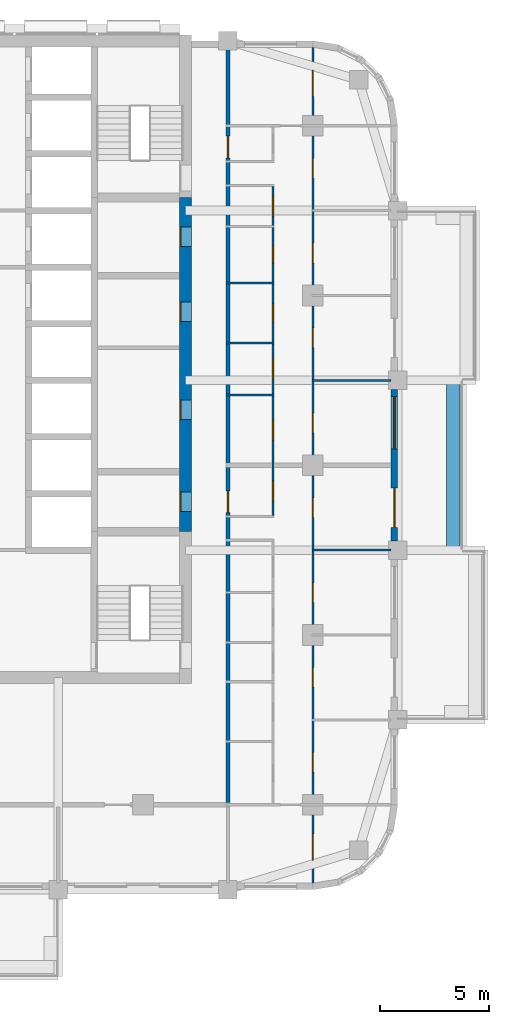
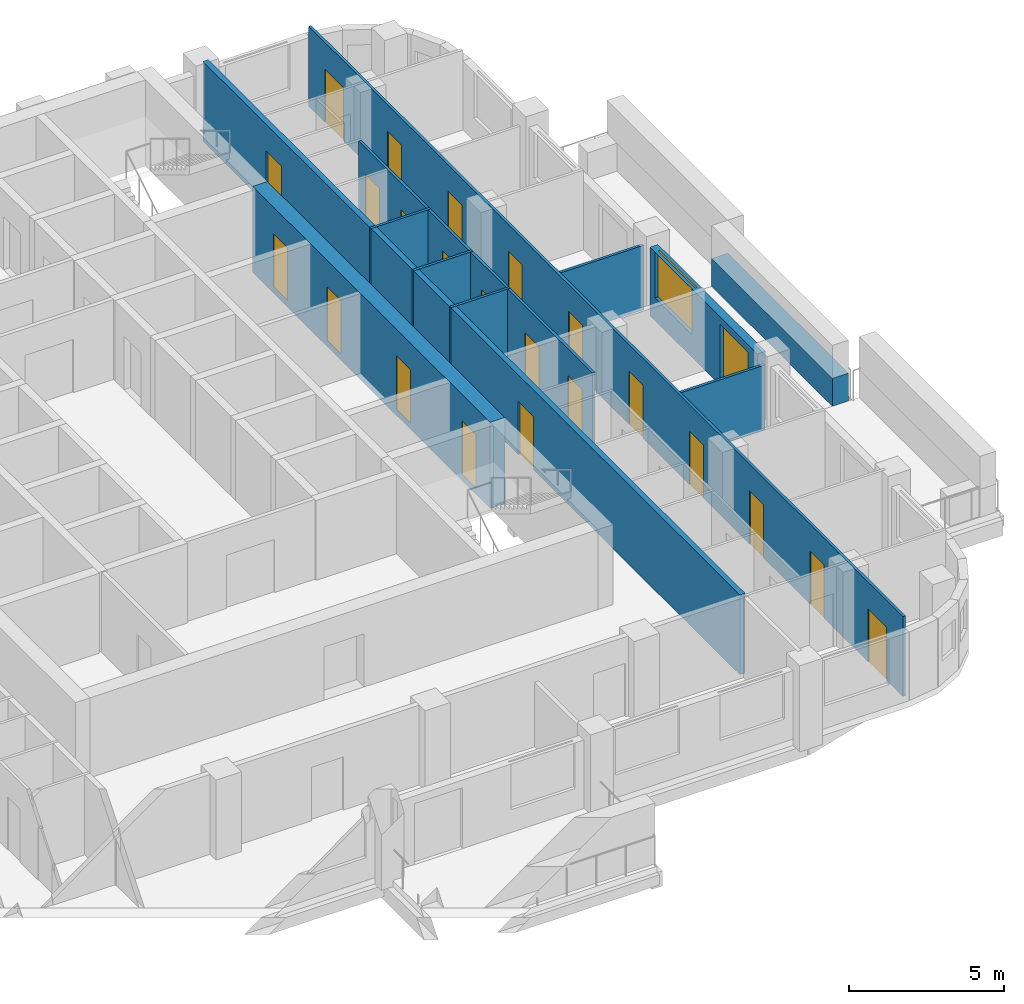
# One storey, part 6 of 12: 23 doors, 11 walls, 1 window, 24 openings.
"""IFC4 building model written with IfcOpenShell, lengths in metres."""

from ifc_helpers import new_model, si_unit, direction, frame, frame_2d, origin, place, context, subcontext, project, spatial, rectangle, extrude, material, layer, layer_set, type_object, element, fill, save


model = new_model("IFC4")

# Units and contexts
model_context = context("Model", 3, precision=1e-05, world=origin(), true_north=direction((0.0, 1.0)))
body_context = subcontext(model_context, "Body", "Model", "MODEL_VIEW")
ifc_project = project(units=[si_unit("LENGTHUNIT", "METRE"), si_unit("AREAUNIT", "SQUARE_METRE"), si_unit("VOLUMEUNIT", "CUBIC_METRE"), si_unit("PLANEANGLEUNIT", "RADIAN"), si_unit("MASSUNIT", "GRAM", prefix="KILO")], contexts=[model_context])

# Site, building, storey
site_placement = place(None, origin())
site = spatial("IfcSite", under=ifc_project, at=site_placement, CompositionType="ELEMENT")
building_placement = place(site_placement, origin())
building = spatial("IfcBuilding", under=site, at=building_placement, Name="Ludao Terraces", CompositionType="ELEMENT")
storey_placement = place(building_placement, frame((0.0, 0.0, 137.300048828125)))
storey = spatial("IfcBuildingStorey", under=building, at=storey_placement, Name="L37", CompositionType="ELEMENT", Elevation=137.300048828125)

# Wall, openings, doors
ifc_material_1 = material(Name="Concrete C60", Category="concrete")
ifc_layer_1 = layer(ifc_material_1, 0.550048828125)
ifc_layer_set_1 = layer_set([ifc_layer_1], Name="Core wall 550 C60")
wall_type_1 = type_object("IfcWallType", Name="Core wall 550 C60", PredefinedType="SOLIDWALL", material=ifc_layer_set_1)
wall_1_placement = place(storey_placement, frame((94.75, 61.949951171875, -0.25), z_axis=(0.0, 0.0, 1.0), x_axis=(0.0, 1.0, 0.0)))
wall_1 = element("IfcWall", 1, at=wall_1_placement, inside=storey, type_object=wall_type_1, Name="Core wall L37 outer-E", PredefinedType="SOLIDWALL", context=body_context, shape_type="SweptSolid", body=[
    extrude(rectangle(XDim=15.35009765625, YDim=0.550048828125, at=frame_2d((7.675048828125, 0.0))), origin(), (0.0, 0.0, 1.0), 3.39990234375),
])
opening_1_placement = place(wall_1_placement, frame((0.925048828125, 0.0, 0.25)))
opening_1 = element("IfcOpeningElement", 2, at=opening_1_placement, cuts=wall_1, Name="Opening R12-032", PredefinedType="OPENING", context=body_context, shape_type="SweptSolid", body=[
    extrude(rectangle(XDim=0.89990234375, YDim=2.10009765625, at=frame_2d((0.449951171875, 1.050048828125))), frame((0.0, 0.28515625, 0.0), z_axis=(0.0, -1.0, 0.0), x_axis=(1.0, 0.0, 0.0)), (0.0, 0.0, 1.0), 0.570068359375),
])
opening_2_placement = place(wall_1_placement, frame((5.14990234375, 0.0, 0.25)))
opening_2 = element("IfcOpeningElement", 3, at=opening_2_placement, cuts=wall_1, Name="Opening R12-040", PredefinedType="OPENING", context=body_context, shape_type="SweptSolid", body=[
    extrude(rectangle(XDim=0.89990234375, YDim=2.10009765625, at=frame_2d((0.449951171875, 1.050048828125))), frame((0.0, 0.28515625, 0.0), z_axis=(0.0, -1.0, 0.0), x_axis=(1.0, 0.0, 0.0)), (0.0, 0.0, 1.0), 0.570068359375),
])
opening_3_placement = place(wall_1_placement, frame((9.64990234375, 0.0, 0.25)))
opening_3 = element("IfcOpeningElement", 4, at=opening_3_placement, cuts=wall_1, Name="Opening R12-049", PredefinedType="OPENING", context=body_context, shape_type="SweptSolid", body=[
    extrude(rectangle(XDim=0.89990234375, YDim=2.10009765625, at=frame_2d((0.449951171875, 1.050048828125))), frame((0.0, 0.28515625, 0.0), z_axis=(0.0, -1.0, 0.0), x_axis=(1.0, 0.0, 0.0)), (0.0, 0.0, 1.0), 0.570068359375),
])
opening_4_placement = place(wall_1_placement, frame((13.10009765625, 0.0, 0.25)))
opening_4 = element("IfcOpeningElement", 5, at=opening_4_placement, cuts=wall_1, Name="Opening R12-058", PredefinedType="OPENING", context=body_context, shape_type="SweptSolid", body=[
    extrude(rectangle(XDim=0.89990234375, YDim=2.10009765625, at=frame_2d((0.449951171875, 1.050048828125))), frame((0.0, 0.28515625, 0.0), z_axis=(0.0, -1.0, 0.0), x_axis=(1.0, 0.0, 0.0)), (0.0, 0.0, 1.0), 0.570068359375),
])
ifc_material_2 = material(Name="Steel Q235", Category="steel")
door_type_1 = type_object("IfcDoorType", Name="INT Riser door 900", OperationType="SINGLE_SWING_LEFT", PredefinedType="DOOR", material=ifc_material_2)
door_1_placement = place(opening_1_placement, origin())
door_1 = element("IfcDoor", 6, at=door_1_placement, inside=storey, type_object=door_type_1, Name="DOOR 032", OperationType="SINGLE_SWING_LEFT", OverallHeight=2.10009765625, OverallWidth=0.89990234375, PredefinedType="DOOR", context=body_context, shape_type="SweptSolid", body=[
    extrude(rectangle(XDim=0.89990234375, YDim=2.10009765625, at=frame_2d((0.449951171875, 1.050048828125))), frame((0.0, 0.26025390625, 0.0), z_axis=(0.0, -1.0, 0.0), x_axis=(1.0, 0.0, 0.0)), (0.0, 0.0, 1.0), 0.050048828125),
])
fill(opening_1, door_1)
door_2_placement = place(opening_4_placement, origin())
door_2 = element("IfcDoor", 7, at=door_2_placement, inside=storey, type_object=door_type_1, Name="DOOR 058", OperationType="SINGLE_SWING_RIGHT", OverallHeight=2.10009765625, OverallWidth=0.89990234375, PredefinedType="DOOR", context=body_context, shape_type="SweptSolid", body=[
    extrude(rectangle(XDim=0.89990234375, YDim=2.10009765625, at=frame_2d((0.449951171875, 1.050048828125))), frame((0.0, 0.26025390625, 0.0), z_axis=(0.0, -1.0, 0.0), x_axis=(1.0, 0.0, 0.0)), (0.0, 0.0, 1.0), 0.050048828125),
])
fill(opening_4, door_2)
ifc_material_3 = material(Name="Timber door leaf", Category="wood")
door_type_2 = type_object("IfcDoorType", Name="INT Room door 900", OperationType="SINGLE_SWING_LEFT", PredefinedType="DOOR", material=ifc_material_3)
door_3_placement = place(opening_2_placement, origin())
door_3 = element("IfcDoor", 8, at=door_3_placement, inside=storey, type_object=door_type_2, Name="DOOR 040", OperationType="SINGLE_SWING_LEFT", OverallHeight=2.10009765625, OverallWidth=0.89990234375, PredefinedType="DOOR", context=body_context, shape_type="SweptSolid", body=[
    extrude(rectangle(XDim=0.89990234375, YDim=2.10009765625, at=frame_2d((0.449951171875, 1.050048828125))), frame((0.0, 0.26025390625, 0.0), z_axis=(0.0, -1.0, 0.0), x_axis=(1.0, 0.0, 0.0)), (0.0, 0.0, 1.0), 0.050048828125),
])
fill(opening_2, door_3)
door_4_placement = place(opening_3_placement, origin())
door_4 = element("IfcDoor", 9, at=door_4_placement, inside=storey, type_object=door_type_2, Name="DOOR 049", OperationType="SINGLE_SWING_RIGHT", OverallHeight=2.10009765625, OverallWidth=0.89990234375, PredefinedType="DOOR", context=body_context, shape_type="SweptSolid", body=[
    extrude(rectangle(XDim=0.89990234375, YDim=2.10009765625, at=frame_2d((0.449951171875, 1.050048828125))), frame((0.0, 0.26025390625, 0.0), z_axis=(0.0, -1.0, 0.0), x_axis=(1.0, 0.0, 0.0)), (0.0, 0.0, 1.0), 0.050048828125),
])
fill(opening_3, door_4)

# Wall
ifc_material_4 = material(Name="Concrete C40", Category="concrete")
ifc_layer_2 = layer(ifc_material_4, 0.60009765625)
ifc_layer_set_2 = layer_set([ifc_layer_2], Name="ENV Planter trough 600")
wall_type_2 = type_object("IfcWallType", Name="ENV Planter trough 600", PredefinedType="USERDEFINED", material=ifc_layer_set_2)
wall_2_placement = place(storey_placement, frame((107.050048828125, 61.10009765625, 0.0), z_axis=(0.0, 0.0, 1.0), x_axis=(0.0, 1.0, 0.0)))
element("IfcWall", 10, at=wall_2_placement, inside=storey, type_object=wall_type_2, Name="PL-L37-E2", ObjectType="PLANTER", PredefinedType="USERDEFINED", context=body_context, shape_type="SweptSolid", body=[
    extrude(rectangle(XDim=7.7998046875, YDim=0.60009765625, at=frame_2d((3.89990234375, 0.0))), origin(), (0.0, 0.0, 1.0), 1.099853515625),
])

# Wall, openings, door, window
ifc_material_5 = material(Name="Granite cladding", Category="masonry")
ifc_layer_3 = layer(ifc_material_5, 0.0400390625, Category="stone")
ifc_material_6 = material(Name="Mineral wool")
ifc_layer_4 = layer(ifc_material_6, 0.06005859375)
ifc_layer_5 = layer(ifc_material_4, 0.199951171875, Category="concrete")
ifc_layer_set_3 = layer_set([ifc_layer_3, ifc_layer_4, ifc_layer_5], Name="ENV Stone-clad wall 300")
wall_type_3 = type_object("IfcWallType", Name="ENV Stone-clad wall 300", PredefinedType="SOLIDWALL", material=ifc_layer_set_3)
wall_3_placement = place(storey_placement, frame((104.35009765625, 61.52490234375, 0.0), z_axis=(0.0, 0.0, 1.0), x_axis=(0.0, 1.0, 0.0)))
wall_3 = element("IfcWall", 11, at=wall_3_placement, inside=storey, type_object=wall_type_3, Name="EW-L37-E3", PredefinedType="SOLIDWALL", context=body_context, shape_type="SweptSolid", body=[
    extrude(rectangle(XDim=6.9501953125, YDim=0.300048828125, at=frame_2d((3.47509765625, 0.0))), origin(), (0.0, 0.0, 1.0), 2.699951171875),
])
opening_5_placement = place(wall_3_placement, frame((0.625, 0.0, 0.0)))
opening_5 = element("IfcOpeningElement", 12, at=opening_5_placement, cuts=wall_3, Name="Opening BD", PredefinedType="OPENING", context=body_context, shape_type="SweptSolid", body=[
    extrude(rectangle(XDim=1.800048828125, YDim=2.39990234375, at=frame_2d((0.89990234375, 1.199951171875))), frame((0.0, 0.16015625, 0.0), z_axis=(0.0, -1.0, 0.0), x_axis=(1.0, 0.0, 0.0)), (0.0, 0.0, 1.0), 0.320068359375),
])
opening_6_placement = place(wall_3_placement, frame((4.22509765625, 0.0, 0.89990234375)))
opening_6 = element("IfcOpeningElement", 13, at=opening_6_placement, cuts=wall_3, Name="Opening W1", PredefinedType="OPENING", context=body_context, shape_type="SweptSolid", body=[
    extrude(rectangle(XDim=2.39990234375, YDim=1.800048828125, at=frame_2d((1.199951171875, 0.89990234375))), frame((0.0, 0.16015625, 0.0), z_axis=(0.0, -1.0, 0.0), x_axis=(1.0, 0.0, 0.0)), (0.0, 0.0, 1.0), 0.320068359375),
])
ifc_material_7 = material(Name="Aluminium glazed door", Category="aluminium")
ifc_layer_6 = layer(ifc_material_7, 0.06005859375)
ifc_layer_set_4 = layer_set([ifc_layer_6], Name="ENV Balcony door BD 1800x2400")
door_type_3 = type_object("IfcDoorType", Name="ENV Balcony door BD 1800x2400", OperationType="DOUBLE_DOOR_SINGLE_SWING", PredefinedType="DOOR", material=ifc_layer_set_4)
door_5_placement = place(opening_5_placement, origin())
door_5 = element("IfcDoor", 14, at=door_5_placement, inside=storey, type_object=door_type_3, Name="BD-L37-E3-1", OperationType="DOUBLE_DOOR_SINGLE_SWING", OverallHeight=2.39990234375, OverallWidth=1.800048828125, PredefinedType="DOOR", context=body_context, shape_type="SweptSolid", body=[
    extrude(rectangle(XDim=1.800048828125, YDim=2.39990234375, at=frame_2d((0.89990234375, 1.199951171875))), frame((0.0, 0.02490234375, 0.0), z_axis=(0.0, -1.0, 0.0), x_axis=(1.0, 0.0, 0.0)), (0.0, 0.0, 1.0), 0.050048828125),
])
fill(opening_5, door_5)
ifc_material_8 = material(Name="Clear glass in aluminium frame", Category="aluminium")
ifc_layer_7 = layer(ifc_material_8, 0.06005859375)
ifc_layer_set_5 = layer_set([ifc_layer_7], Name="ENV Window W1 2400x1800")
window_type = type_object("IfcWindowType", Name="ENV Window W1 2400x1800", PartitioningType="DOUBLE_PANEL_VERTICAL", PredefinedType="WINDOW", material=ifc_layer_set_5)
window_placement = place(opening_6_placement, origin())
window = element("IfcWindow", 15, at=window_placement, inside=storey, type_object=window_type, Name="W-L37-E3-2", OverallHeight=1.800048828125, OverallWidth=2.39990234375, PartitioningType="DOUBLE_PANEL_VERTICAL", PredefinedType="WINDOW", context=body_context, shape_type="SweptSolid", body=[
    extrude(rectangle(XDim=2.39990234375, YDim=1.800048828125, at=frame_2d((1.199951171875, 0.89990234375))), frame((0.0, 0.030029296875, 0.0), z_axis=(0.0, -1.0, 0.0), x_axis=(1.0, 0.0, 0.0)), (0.0, 0.0, 1.0), 0.06005859375),
])
fill(opening_6, window)

# Wall, openings, doors
ifc_material_9 = material(Name="Autoclaved aerated concrete block B06 A3.5", Category="concrete")
ifc_layer_8 = layer(ifc_material_9, 0.199951171875)
ifc_layer_set_6 = layer_set([ifc_layer_8], Name="INT Entrance wall 200")
wall_type_4 = type_object("IfcWallType", Name="INT Entrance wall 200", PredefinedType="PARTITIONING", material=ifc_layer_set_6)
wall_4_placement = place(storey_placement, frame((96.699951171875, 49.5, 0.0), z_axis=(0.0, 0.0, 1.0), x_axis=(0.0, 1.0, 0.0)))
wall_4 = element("IfcWall", 16, at=wall_4_placement, inside=storey, type_object=wall_type_4, Name="PW-L37-PW056", PredefinedType="PARTITIONING", context=body_context, shape_type="SweptSolid", body=[
    extrude(rectangle(XDim=34.7001953125, YDim=0.199951171875, at=frame_2d((17.35009765625, 0.0))), origin(), (0.0, 0.0, 1.0), 3.14990234375),
])
opening_7_placement = place(wall_4_placement, frame((13.3251953125, 0.0, 0.0)))
opening_7 = element("IfcOpeningElement", 17, at=opening_7_placement, cuts=wall_4, Name="Opening R12-033", PredefinedType="OPENING", context=body_context, shape_type="SweptSolid", body=[
    extrude(rectangle(XDim=1.0, YDim=2.10009765625, at=frame_2d((0.5, 1.050048828125))), frame((0.0, 0.10986328125, 0.0), z_axis=(0.0, -1.0, 0.0), x_axis=(1.0, 0.0, 0.0)), (0.0, 0.0, 1.0), 0.219970703125),
])
opening_8_placement = place(wall_4_placement, frame((29.625, 0.0, 0.0)))
opening_8 = element("IfcOpeningElement", 18, at=opening_8_placement, cuts=wall_4, Name="Opening R12-068", PredefinedType="OPENING", context=body_context, shape_type="SweptSolid", body=[
    extrude(rectangle(XDim=1.0, YDim=2.10009765625, at=frame_2d((0.5, 1.050048828125))), frame((0.0, 0.10986328125, 0.0), z_axis=(0.0, -1.0, 0.0), x_axis=(1.0, 0.0, 0.0)), (0.0, 0.0, 1.0), 0.219970703125),
])
door_type_4 = type_object("IfcDoorType", Name="INT Flat entrance door 1000", OperationType="SINGLE_SWING_LEFT", PredefinedType="DOOR", material=ifc_material_2)
door_6_placement = place(opening_7_placement, origin())
door_6 = element("IfcDoor", 19, at=door_6_placement, inside=storey, type_object=door_type_4, Name="DOOR 033", OperationType="SINGLE_SWING_LEFT", OverallHeight=2.10009765625, OverallWidth=1.0, PredefinedType="DOOR", context=body_context, shape_type="SweptSolid", body=[
    extrude(rectangle(XDim=1.0, YDim=2.10009765625, at=frame_2d((0.5, 1.050048828125))), frame((0.0, 0.02490234375, 0.0), z_axis=(0.0, -1.0, 0.0), x_axis=(1.0, 0.0, 0.0)), (0.0, 0.0, 1.0), 0.050048828125),
])
fill(opening_7, door_6)
door_7_placement = place(opening_8_placement, origin())
door_7 = element("IfcDoor", 20, at=door_7_placement, inside=storey, type_object=door_type_4, Name="DOOR 068", OperationType="SINGLE_SWING_LEFT", OverallHeight=2.10009765625, OverallWidth=1.0, PredefinedType="DOOR", context=body_context, shape_type="SweptSolid", body=[
    extrude(rectangle(XDim=1.0, YDim=2.10009765625, at=frame_2d((0.5, 1.050048828125))), frame((0.0, 0.02490234375, 0.0), z_axis=(0.0, -1.0, 0.0), x_axis=(1.0, 0.0, 0.0)), (0.0, 0.0, 1.0), 0.050048828125),
])
fill(opening_8, door_7)

# Walls
ifc_material_10 = material(Name="Gypsum plasterboard", Category="gypsum")
ifc_layer_9 = layer(ifc_material_10, 0.012451171875, Category="gypsum")
ifc_layer_10 = layer(ifc_material_6, 0.06005859375, Name="insulation")
ifc_layer_11 = layer(ifc_material_2, 0.014892578125, Name="stud")
ifc_layer_12 = layer(ifc_material_10, 0.012451171875, Category="gypsum")
ifc_layer_set_7 = layer_set([ifc_layer_9, ifc_layer_10, ifc_layer_11, ifc_layer_12], Name="INT Partition 100")
wall_type_5 = type_object("IfcWallType", Name="INT Partition 100", PredefinedType="PARTITIONING", material=ifc_layer_set_7)
wall_5_placement = place(storey_placement, frame((100.550048828125, 61.10009765625, 0.0), z_axis=(0.0, 0.0, 1.0), x_axis=(1.0, 0.0, 0.0)))
element("IfcWall", 21, at=wall_5_placement, inside=storey, type_object=wall_type_5, Name="PW-L37-PW018", PredefinedType="PARTITIONING", context=body_context, shape_type="SweptSolid", body=[
    extrude(rectangle(XDim=3.650146484375, YDim=0.10009765625, at=frame_2d((1.8251953125, 0.0))), origin(), (0.0, 0.0, 1.0), 2.5498046875),
])
wall_6_placement = place(storey_placement, frame((96.60009765625, 68.219970703125, 0.0), z_axis=(0.0, 0.0, 1.0), x_axis=(1.0, 0.0, 0.0)))
element("IfcWall", 22, at=wall_6_placement, inside=storey, type_object=wall_type_5, Name="PW-L37-PW026", PredefinedType="PARTITIONING", context=body_context, shape_type="SweptSolid", body=[
    extrude(rectangle(XDim=2.219970703125, YDim=0.10009765625, at=frame_2d((1.10986328125, 0.0))), origin(), (0.0, 0.0, 1.0), 3.14990234375),
])
wall_7_placement = place(storey_placement, frame((100.550048828125, 68.89990234375, 0.0), z_axis=(0.0, 0.0, 1.0), x_axis=(1.0, 0.0, 0.0)))
element("IfcWall", 23, at=wall_7_placement, inside=storey, type_object=wall_type_5, Name="PW-L37-PW028", PredefinedType="PARTITIONING", context=body_context, shape_type="SweptSolid", body=[
    extrude(rectangle(XDim=3.650146484375, YDim=0.10009765625, at=frame_2d((1.8251953125, 0.0))), origin(), (0.0, 0.0, 1.0), 2.5498046875),
])
for number, where, z_axis, x_axis, name in (
    (24, (96.60009765625, 70.6201171875, 0.0), (0.0, 0.0, 1.0), (1.0, 0.0, 0.0), "PW-L37-PW031"),
    (25, (96.60009765625, 73.3701171875, 0.0), (0.0, 0.0, 1.0), (1.0, 0.0, 0.0), "PW-L37-PW035"),
):
    element("IfcWall", number, at=place(storey_placement, frame(where, z_axis=z_axis, x_axis=x_axis)), inside=storey, type_object=wall_type_5, Name=name, PredefinedType="PARTITIONING", context=body_context, shape_type="SweptSolid", body=[
        extrude(rectangle(XDim=2.219970703125, YDim=0.10009765625, at=frame_2d((1.10986328125, 0.0))), origin(), (0.0, 0.0, 1.0), 3.14990234375),
    ])

# Wall, openings, doors
wall_8_placement = place(storey_placement, frame((98.77001953125, 62.7001953125, 0.0), z_axis=(0.0, 0.0, 1.0), x_axis=(0.0, 1.0, 0.0)))
wall_8 = element("IfcWall", 26, at=wall_8_placement, inside=storey, type_object=wall_type_5, Name="PW-L37-PW058", PredefinedType="PARTITIONING", context=body_context, shape_type="SweptSolid", body=[
    extrude(rectangle(XDim=15.099853515625, YDim=0.10009765625, at=frame_2d((7.5498046875, 0.0))), origin(), (0.0, 0.0, 1.0), 3.14990234375),
])
opening_9_placement = place(wall_8_placement, frame((0.6748046875, 0.0, 0.0)))
opening_9 = element("IfcOpeningElement", 27, at=opening_9_placement, cuts=wall_8, Name="Opening R12-035", PredefinedType="OPENING", context=body_context, shape_type="SweptSolid", body=[
    extrude(rectangle(XDim=0.89990234375, YDim=2.10009765625, at=frame_2d((0.449951171875, 1.050048828125))), frame((0.0, 0.06005859375, 0.0), z_axis=(0.0, -1.0, 0.0), x_axis=(1.0, 0.0, 0.0)), (0.0, 0.0, 1.0), 0.1201171875),
])
opening_10_placement = place(wall_8_placement, frame((3.4599609375, 0.0, 0.0)))
opening_10 = element("IfcOpeningElement", 28, at=opening_10_placement, cuts=wall_8, Name="Opening R12-037", PredefinedType="OPENING", context=body_context, shape_type="SweptSolid", body=[
    extrude(rectangle(XDim=0.89990234375, YDim=2.10009765625, at=frame_2d((0.449951171875, 1.050048828125))), frame((0.0, 0.06005859375, 0.0), z_axis=(0.0, -1.0, 0.0), x_axis=(1.0, 0.0, 0.0)), (0.0, 0.0, 1.0), 0.1201171875),
])
opening_11_placement = place(wall_8_placement, frame((6.27001953125, 0.0, 0.0)))
opening_11 = element("IfcOpeningElement", 29, at=opening_11_placement, cuts=wall_8, Name="Opening R12-044", PredefinedType="OPENING", context=body_context, shape_type="SweptSolid", body=[
    extrude(rectangle(XDim=0.89990234375, YDim=2.10009765625, at=frame_2d((0.449951171875, 1.050048828125))), frame((0.0, 0.06005859375, 0.0), z_axis=(0.0, -1.0, 0.0), x_axis=(1.0, 0.0, 0.0)), (0.0, 0.0, 1.0), 0.1201171875),
])
opening_12_placement = place(wall_8_placement, frame((8.89501953125, 0.0, 0.0)))
opening_12 = element("IfcOpeningElement", 30, at=opening_12_placement, cuts=wall_8, Name="Opening R12-048", PredefinedType="OPENING", context=body_context, shape_type="SweptSolid", body=[
    extrude(rectangle(XDim=0.800048828125, YDim=2.10009765625, at=frame_2d((0.39990234375, 1.050048828125))), frame((0.0, 0.06005859375, 0.0), z_axis=(0.0, -1.0, 0.0), x_axis=(1.0, 0.0, 0.0)), (0.0, 0.0, 1.0), 0.1201171875),
])
opening_13_placement = place(wall_8_placement, frame((11.56982421875, 0.0, 0.0)))
opening_13 = element("IfcOpeningElement", 31, at=opening_13_placement, cuts=wall_8, Name="Opening R12-053", PredefinedType="OPENING", context=body_context, shape_type="SweptSolid", body=[
    extrude(rectangle(XDim=0.800048828125, YDim=2.10009765625, at=frame_2d((0.39990234375, 1.050048828125))), frame((0.0, 0.06005859375, 0.0), z_axis=(0.0, -1.0, 0.0), x_axis=(1.0, 0.0, 0.0)), (0.0, 0.0, 1.0), 0.1201171875),
])
opening_14_placement = place(wall_8_placement, frame((13.760009765625, 0.0, 0.0)))
opening_14 = element("IfcOpeningElement", 32, at=opening_14_placement, cuts=wall_8, Name="Opening R12-060", PredefinedType="OPENING", context=body_context, shape_type="SweptSolid", body=[
    extrude(rectangle(XDim=0.89990234375, YDim=2.10009765625, at=frame_2d((0.449951171875, 1.050048828125))), frame((0.0, 0.06005859375, 0.0), z_axis=(0.0, -1.0, 0.0), x_axis=(1.0, 0.0, 0.0)), (0.0, 0.0, 1.0), 0.1201171875),
])
door_type_5 = type_object("IfcDoorType", Name="INT Bathroom door 900", OperationType="SINGLE_SWING_LEFT", PredefinedType="DOOR", material=ifc_material_3)
door_8_placement = place(opening_11_placement, origin())
door_8 = element("IfcDoor", 33, at=door_8_placement, inside=storey, type_object=door_type_5, Name="DOOR 044", OperationType="SINGLE_SWING_LEFT", OverallHeight=2.10009765625, OverallWidth=0.89990234375, PredefinedType="DOOR", context=body_context, shape_type="SweptSolid", body=[
    extrude(rectangle(XDim=0.89990234375, YDim=2.10009765625, at=frame_2d((0.449951171875, 1.050048828125))), frame((0.0, 0.02490234375, 0.0), z_axis=(0.0, -1.0, 0.0), x_axis=(1.0, 0.0, 0.0)), (0.0, 0.0, 1.0), 0.050048828125),
])
fill(opening_11, door_8)
door_9_placement = place(opening_14_placement, origin())
door_9 = element("IfcDoor", 34, at=door_9_placement, inside=storey, type_object=door_type_5, Name="DOOR 060", OperationType="SINGLE_SWING_LEFT", OverallHeight=2.10009765625, OverallWidth=0.89990234375, PredefinedType="DOOR", context=body_context, shape_type="SweptSolid", body=[
    extrude(rectangle(XDim=0.89990234375, YDim=2.10009765625, at=frame_2d((0.449951171875, 1.050048828125))), frame((0.0, 0.02490234375, 0.0), z_axis=(0.0, -1.0, 0.0), x_axis=(1.0, 0.0, 0.0)), (0.0, 0.0, 1.0), 0.050048828125),
])
fill(opening_14, door_9)
door_10_placement = place(opening_9_placement, origin())
door_10 = element("IfcDoor", 35, at=door_10_placement, inside=storey, type_object=door_type_2, Name="DOOR 035", OperationType="SINGLE_SWING_LEFT", OverallHeight=2.10009765625, OverallWidth=0.89990234375, PredefinedType="DOOR", context=body_context, shape_type="SweptSolid", body=[
    extrude(rectangle(XDim=0.89990234375, YDim=2.10009765625, at=frame_2d((0.449951171875, 1.050048828125))), frame((0.0, 0.02490234375, 0.0), z_axis=(0.0, -1.0, 0.0), x_axis=(1.0, 0.0, 0.0)), (0.0, 0.0, 1.0), 0.050048828125),
])
fill(opening_9, door_10)
door_11_placement = place(opening_10_placement, origin())
door_11 = element("IfcDoor", 36, at=door_11_placement, inside=storey, type_object=door_type_2, Name="DOOR 037", OperationType="SINGLE_SWING_LEFT", OverallHeight=2.10009765625, OverallWidth=0.89990234375, PredefinedType="DOOR", context=body_context, shape_type="SweptSolid", body=[
    extrude(rectangle(XDim=0.89990234375, YDim=2.10009765625, at=frame_2d((0.449951171875, 1.050048828125))), frame((0.0, 0.02490234375, 0.0), z_axis=(0.0, -1.0, 0.0), x_axis=(1.0, 0.0, 0.0)), (0.0, 0.0, 1.0), 0.050048828125),
])
fill(opening_10, door_11)
door_type_6 = type_object("IfcDoorType", Name="INT Store door 800", OperationType="SINGLE_SWING_LEFT", PredefinedType="DOOR", material=ifc_material_3)
door_12_placement = place(opening_12_placement, origin())
door_12 = element("IfcDoor", 37, at=door_12_placement, inside=storey, type_object=door_type_6, Name="DOOR 048", OperationType="SINGLE_SWING_LEFT", OverallHeight=2.10009765625, OverallWidth=0.800048828125, PredefinedType="DOOR", context=body_context, shape_type="SweptSolid", body=[
    extrude(rectangle(XDim=0.800048828125, YDim=2.10009765625, at=frame_2d((0.39990234375, 1.050048828125))), frame((0.0, 0.02490234375, 0.0), z_axis=(0.0, -1.0, 0.0), x_axis=(1.0, 0.0, 0.0)), (0.0, 0.0, 1.0), 0.050048828125),
])
fill(opening_12, door_12)
door_13_placement = place(opening_13_placement, origin())
door_13 = element("IfcDoor", 38, at=door_13_placement, inside=storey, type_object=door_type_6, Name="DOOR 053", OperationType="SINGLE_SWING_LEFT", OverallHeight=2.10009765625, OverallWidth=0.800048828125, PredefinedType="DOOR", context=body_context, shape_type="SweptSolid", body=[
    extrude(rectangle(XDim=0.800048828125, YDim=2.10009765625, at=frame_2d((0.39990234375, 1.050048828125))), frame((0.0, 0.02490234375, 0.0), z_axis=(0.0, -1.0, 0.0), x_axis=(1.0, 0.0, 0.0)), (0.0, 0.0, 1.0), 0.050048828125),
])
fill(opening_13, door_13)

wall_9_placement = place(storey_placement, frame((100.60009765625, 45.800048828125, 0.0), z_axis=(0.0, 0.0, 1.0), x_axis=(0.0, 1.0, 0.0)))
wall_9 = element("IfcWall", 39, at=wall_9_placement, inside=storey, type_object=wall_type_5, Name="PW-L37-PW060", PredefinedType="PARTITIONING", context=body_context, shape_type="SweptSolid", body=[
    extrude(rectangle(XDim=38.400146484375, YDim=0.10009765625, at=frame_2d((19.2001953125, 0.0))), origin(), (0.0, 0.0, 1.0), 3.14990234375),
])
opening_15_placement = place(wall_9_placement, frame((1.050048828125, 0.0, 0.0)))
opening_15 = element("IfcOpeningElement", 40, at=opening_15_placement, cuts=wall_9, Name="Opening R12-002", PredefinedType="OPENING", context=body_context, shape_type="SweptSolid", body=[
    extrude(rectangle(XDim=1.199951171875, YDim=2.10009765625, at=frame_2d((0.60009765625, 1.050048828125))), frame((0.0, 0.06005859375, 0.0), z_axis=(0.0, -1.0, 0.0), x_axis=(1.0, 0.0, 0.0)), (0.0, 0.0, 1.0), 0.1201171875),
])
opening_16_placement = place(wall_9_placement, frame((5.10009765625, 0.0, 0.0)))
opening_16 = element("IfcOpeningElement", 41, at=opening_16_placement, cuts=wall_9, Name="Opening R12-010", PredefinedType="OPENING", context=body_context, shape_type="SweptSolid", body=[
    extrude(rectangle(XDim=0.89990234375, YDim=2.10009765625, at=frame_2d((0.449951171875, 1.050048828125))), frame((0.0, 0.06005859375, 0.0), z_axis=(0.0, -1.0, 0.0), x_axis=(1.0, 0.0, 0.0)), (0.0, 0.0, 1.0), 0.1201171875),
])
opening_17_placement = place(wall_9_placement, frame((9.0, 0.0, 0.0)))
opening_17 = element("IfcOpeningElement", 42, at=opening_17_placement, cuts=wall_9, Name="Opening R12-016", PredefinedType="OPENING", context=body_context, shape_type="SweptSolid", body=[
    extrude(rectangle(XDim=0.89990234375, YDim=2.10009765625, at=frame_2d((0.449951171875, 1.050048828125))), frame((0.0, 0.06005859375, 0.0), z_axis=(0.0, -1.0, 0.0), x_axis=(1.0, 0.0, 0.0)), (0.0, 0.0, 1.0), 0.1201171875),
])
opening_18_placement = place(wall_9_placement, frame((12.89990234375, 0.0, 0.0)))
opening_18 = element("IfcOpeningElement", 43, at=opening_18_placement, cuts=wall_9, Name="Opening R12-025", PredefinedType="OPENING", context=body_context, shape_type="SweptSolid", body=[
    extrude(rectangle(XDim=0.89990234375, YDim=2.10009765625, at=frame_2d((0.449951171875, 1.050048828125))), frame((0.0, 0.06005859375, 0.0), z_axis=(0.0, -1.0, 0.0), x_axis=(1.0, 0.0, 0.0)), (0.0, 0.0, 1.0), 0.1201171875),
])
opening_19_placement = place(wall_9_placement, frame((16.800048828125, 0.0, 0.0)))
opening_19 = element("IfcOpeningElement", 44, at=opening_19_placement, cuts=wall_9, Name="Opening R12-031", PredefinedType="OPENING", context=body_context, shape_type="SweptSolid", body=[
    extrude(rectangle(XDim=0.89990234375, YDim=2.10009765625, at=frame_2d((0.449951171875, 1.050048828125))), frame((0.0, 0.06005859375, 0.0), z_axis=(0.0, -1.0, 0.0), x_axis=(1.0, 0.0, 0.0)), (0.0, 0.0, 1.0), 0.1201171875),
])
opening_20_placement = place(wall_9_placement, frame((20.699951171875, 0.0, 0.0)))
opening_20 = element("IfcOpeningElement", 45, at=opening_20_placement, cuts=wall_9, Name="Opening R12-039", PredefinedType="OPENING", context=body_context, shape_type="SweptSolid", body=[
    extrude(rectangle(XDim=0.89990234375, YDim=2.10009765625, at=frame_2d((0.449951171875, 1.050048828125))), frame((0.0, 0.06005859375, 0.0), z_axis=(0.0, -1.0, 0.0), x_axis=(1.0, 0.0, 0.0)), (0.0, 0.0, 1.0), 0.1201171875),
])
opening_21_placement = place(wall_9_placement, frame((24.60009765625, 0.0, 0.0)))
opening_21 = element("IfcOpeningElement", 46, at=opening_21_placement, cuts=wall_9, Name="Opening R12-046", PredefinedType="OPENING", context=body_context, shape_type="SweptSolid", body=[
    extrude(rectangle(XDim=0.89990234375, YDim=2.10009765625, at=frame_2d((0.449951171875, 1.050048828125))), frame((0.0, 0.06005859375, 0.0), z_axis=(0.0, -1.0, 0.0), x_axis=(1.0, 0.0, 0.0)), (0.0, 0.0, 1.0), 0.1201171875),
])
opening_22_placement = place(wall_9_placement, frame((28.5, 0.0, 0.0)))
opening_22 = element("IfcOpeningElement", 47, at=opening_22_placement, cuts=wall_9, Name="Opening R12-055", PredefinedType="OPENING", context=body_context, shape_type="SweptSolid", body=[
    extrude(rectangle(XDim=0.89990234375, YDim=2.10009765625, at=frame_2d((0.449951171875, 1.050048828125))), frame((0.0, 0.06005859375, 0.0), z_axis=(0.0, -1.0, 0.0), x_axis=(1.0, 0.0, 0.0)), (0.0, 0.0, 1.0), 0.1201171875),
])
opening_23_placement = place(wall_9_placement, frame((32.39990234375, 0.0, 0.0)))
opening_23 = element("IfcOpeningElement", 48, at=opening_23_placement, cuts=wall_9, Name="Opening R12-067", PredefinedType="OPENING", context=body_context, shape_type="SweptSolid", body=[
    extrude(rectangle(XDim=0.89990234375, YDim=2.10009765625, at=frame_2d((0.449951171875, 1.050048828125))), frame((0.0, 0.06005859375, 0.0), z_axis=(0.0, -1.0, 0.0), x_axis=(1.0, 0.0, 0.0)), (0.0, 0.0, 1.0), 0.1201171875),
])
opening_24_placement = place(wall_9_placement, frame((36.14990234375, 0.0, 0.0)))
opening_24 = element("IfcOpeningElement", 49, at=opening_24_placement, cuts=wall_9, Name="Opening R12-076", PredefinedType="OPENING", context=body_context, shape_type="SweptSolid", body=[
    extrude(rectangle(XDim=1.199951171875, YDim=2.10009765625, at=frame_2d((0.60009765625, 1.050048828125))), frame((0.0, 0.06005859375, 0.0), z_axis=(0.0, -1.0, 0.0), x_axis=(1.0, 0.0, 0.0)), (0.0, 0.0, 1.0), 0.1201171875),
])
door_type_7 = type_object("IfcDoorType", Name="INT Double door 1200", OperationType="DOUBLE_DOOR_SINGLE_SWING", PredefinedType="DOOR", material=ifc_material_3)
door_14_placement = place(opening_15_placement, origin())
door_14 = element("IfcDoor", 50, at=door_14_placement, inside=storey, type_object=door_type_7, Name="DOOR 002", OperationType="DOUBLE_DOOR_SINGLE_SWING", OverallHeight=2.10009765625, OverallWidth=1.199951171875, PredefinedType="DOOR", context=body_context, shape_type="SweptSolid", body=[
    extrude(rectangle(XDim=1.199951171875, YDim=2.10009765625, at=frame_2d((0.60009765625, 1.050048828125))), frame((0.0, 0.02490234375, 0.0), z_axis=(0.0, -1.0, 0.0), x_axis=(1.0, 0.0, 0.0)), (0.0, 0.0, 1.0), 0.050048828125),
])
fill(opening_15, door_14)
door_15_placement = place(opening_24_placement, origin())
door_15 = element("IfcDoor", 51, at=door_15_placement, inside=storey, type_object=door_type_7, Name="DOOR 076", OperationType="DOUBLE_DOOR_SINGLE_SWING", OverallHeight=2.10009765625, OverallWidth=1.199951171875, PredefinedType="DOOR", context=body_context, shape_type="SweptSolid", body=[
    extrude(rectangle(XDim=1.199951171875, YDim=2.10009765625, at=frame_2d((0.60009765625, 1.050048828125))), frame((0.0, 0.02490234375, 0.0), z_axis=(0.0, -1.0, 0.0), x_axis=(1.0, 0.0, 0.0)), (0.0, 0.0, 1.0), 0.050048828125),
])
fill(opening_24, door_15)
door_16_placement = place(opening_16_placement, origin())
door_16 = element("IfcDoor", 52, at=door_16_placement, inside=storey, type_object=door_type_2, Name="DOOR 010", OperationType="SINGLE_SWING_LEFT", OverallHeight=2.10009765625, OverallWidth=0.89990234375, PredefinedType="DOOR", context=body_context, shape_type="SweptSolid", body=[
    extrude(rectangle(XDim=0.89990234375, YDim=2.10009765625, at=frame_2d((0.449951171875, 1.050048828125))), frame((0.0, 0.02490234375, 0.0), z_axis=(0.0, -1.0, 0.0), x_axis=(1.0, 0.0, 0.0)), (0.0, 0.0, 1.0), 0.050048828125),
])
fill(opening_16, door_16)
door_17_placement = place(opening_17_placement, origin())
door_17 = element("IfcDoor", 53, at=door_17_placement, inside=storey, type_object=door_type_2, Name="DOOR 016", OperationType="SINGLE_SWING_RIGHT", OverallHeight=2.10009765625, OverallWidth=0.89990234375, PredefinedType="DOOR", context=body_context, shape_type="SweptSolid", body=[
    extrude(rectangle(XDim=0.89990234375, YDim=2.10009765625, at=frame_2d((0.449951171875, 1.050048828125))), frame((0.0, 0.02490234375, 0.0), z_axis=(0.0, -1.0, 0.0), x_axis=(1.0, 0.0, 0.0)), (0.0, 0.0, 1.0), 0.050048828125),
])
fill(opening_17, door_17)
door_18_placement = place(opening_18_placement, origin())
door_18 = element("IfcDoor", 54, at=door_18_placement, inside=storey, type_object=door_type_2, Name="DOOR 025", OperationType="SINGLE_SWING_RIGHT", OverallHeight=2.10009765625, OverallWidth=0.89990234375, PredefinedType="DOOR", context=body_context, shape_type="SweptSolid", body=[
    extrude(rectangle(XDim=0.89990234375, YDim=2.10009765625, at=frame_2d((0.449951171875, 1.050048828125))), frame((0.0, 0.02490234375, 0.0), z_axis=(0.0, -1.0, 0.0), x_axis=(1.0, 0.0, 0.0)), (0.0, 0.0, 1.0), 0.050048828125),
])
fill(opening_18, door_18)
door_19_placement = place(opening_19_placement, origin())
door_19 = element("IfcDoor", 55, at=door_19_placement, inside=storey, type_object=door_type_2, Name="DOOR 031", OperationType="SINGLE_SWING_RIGHT", OverallHeight=2.10009765625, OverallWidth=0.89990234375, PredefinedType="DOOR", context=body_context, shape_type="SweptSolid", body=[
    extrude(rectangle(XDim=0.89990234375, YDim=2.10009765625, at=frame_2d((0.449951171875, 1.050048828125))), frame((0.0, 0.02490234375, 0.0), z_axis=(0.0, -1.0, 0.0), x_axis=(1.0, 0.0, 0.0)), (0.0, 0.0, 1.0), 0.050048828125),
])
fill(opening_19, door_19)
door_20_placement = place(opening_20_placement, origin())
door_20 = element("IfcDoor", 56, at=door_20_placement, inside=storey, type_object=door_type_2, Name="DOOR 039", OperationType="SINGLE_SWING_RIGHT", OverallHeight=2.10009765625, OverallWidth=0.89990234375, PredefinedType="DOOR", context=body_context, shape_type="SweptSolid", body=[
    extrude(rectangle(XDim=0.89990234375, YDim=2.10009765625, at=frame_2d((0.449951171875, 1.050048828125))), frame((0.0, 0.02490234375, 0.0), z_axis=(0.0, -1.0, 0.0), x_axis=(1.0, 0.0, 0.0)), (0.0, 0.0, 1.0), 0.050048828125),
])
fill(opening_20, door_20)
door_21_placement = place(opening_21_placement, origin())
door_21 = element("IfcDoor", 57, at=door_21_placement, inside=storey, type_object=door_type_2, Name="DOOR 046", OperationType="SINGLE_SWING_RIGHT", OverallHeight=2.10009765625, OverallWidth=0.89990234375, PredefinedType="DOOR", context=body_context, shape_type="SweptSolid", body=[
    extrude(rectangle(XDim=0.89990234375, YDim=2.10009765625, at=frame_2d((0.449951171875, 1.050048828125))), frame((0.0, 0.02490234375, 0.0), z_axis=(0.0, -1.0, 0.0), x_axis=(1.0, 0.0, 0.0)), (0.0, 0.0, 1.0), 0.050048828125),
])
fill(opening_21, door_21)
door_22_placement = place(opening_22_placement, origin())
door_22 = element("IfcDoor", 58, at=door_22_placement, inside=storey, type_object=door_type_2, Name="DOOR 055", OperationType="SINGLE_SWING_RIGHT", OverallHeight=2.10009765625, OverallWidth=0.89990234375, PredefinedType="DOOR", context=body_context, shape_type="SweptSolid", body=[
    extrude(rectangle(XDim=0.89990234375, YDim=2.10009765625, at=frame_2d((0.449951171875, 1.050048828125))), frame((0.0, 0.02490234375, 0.0), z_axis=(0.0, -1.0, 0.0), x_axis=(1.0, 0.0, 0.0)), (0.0, 0.0, 1.0), 0.050048828125),
])
fill(opening_22, door_22)
door_23_placement = place(opening_23_placement, origin())
door_23 = element("IfcDoor", 59, at=door_23_placement, inside=storey, type_object=door_type_2, Name="DOOR 067", OperationType="SINGLE_SWING_LEFT", OverallHeight=2.10009765625, OverallWidth=0.89990234375, PredefinedType="DOOR", context=body_context, shape_type="SweptSolid", body=[
    extrude(rectangle(XDim=0.89990234375, YDim=2.10009765625, at=frame_2d((0.449951171875, 1.050048828125))), frame((0.0, 0.02490234375, 0.0), z_axis=(0.0, -1.0, 0.0), x_axis=(1.0, 0.0, 0.0)), (0.0, 0.0, 1.0), 0.050048828125),
])
fill(opening_23, door_23)

save(model, "model.ifc")
